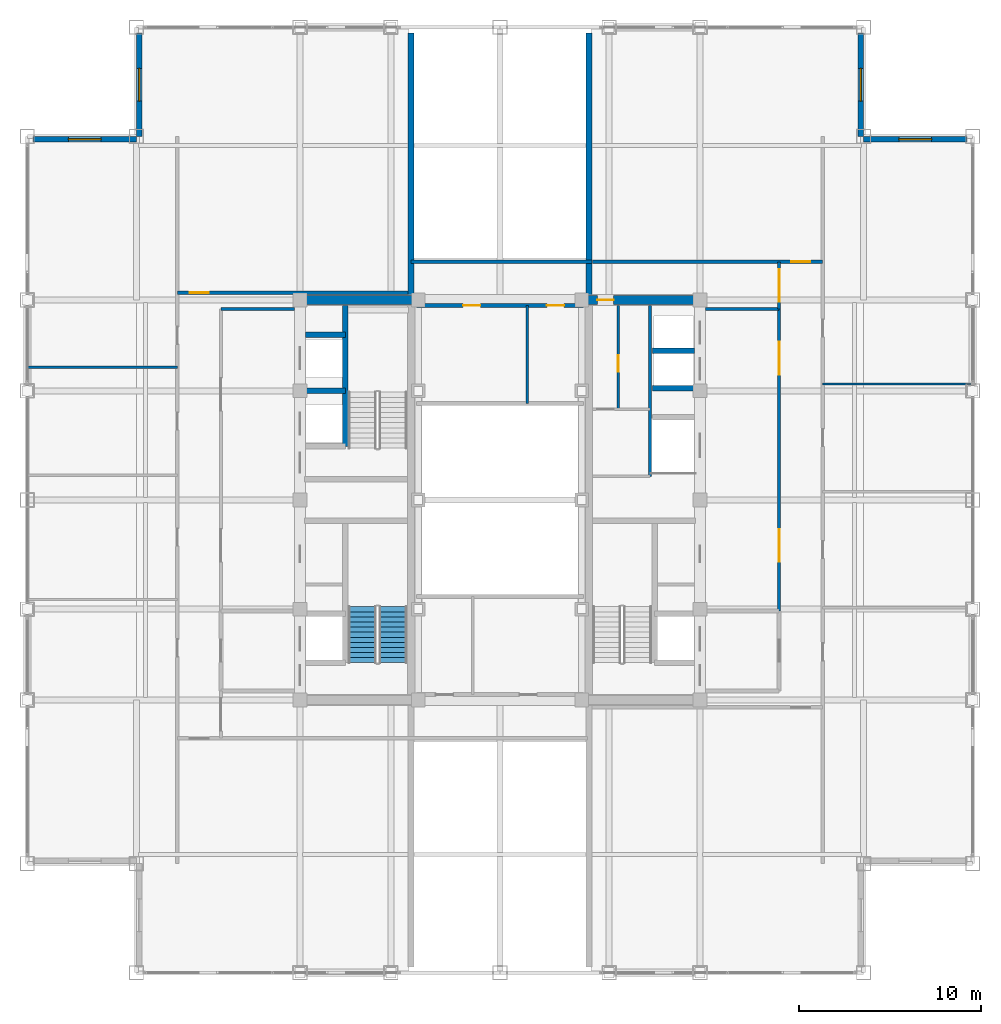
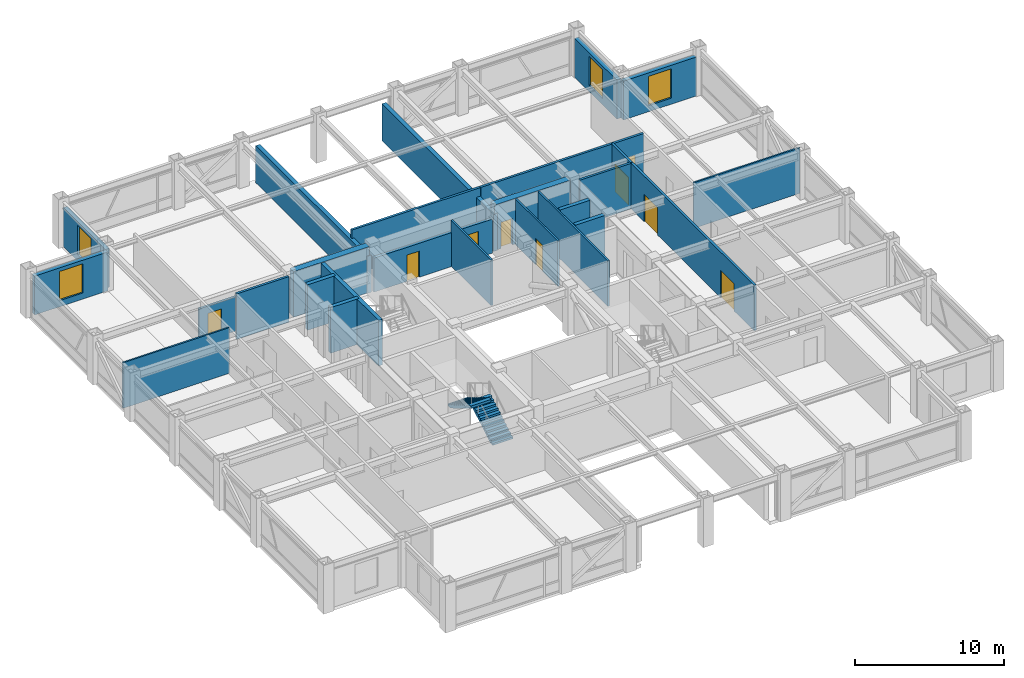
# One storey, part 27 of 29: 26 walls, 9 doors, 4 windows, 2 stair flights, 13 openings, 1 element without a shape of its own.
"""IFC4 building model written with IfcOpenShell, lengths in metres."""

from ifc_helpers import new_model, si_unit, direction, frame, frame_2d, origin, place, context, subcontext, project, spatial, polyline, rectangle, outline, extrude, source, transform, mapped, material, layer, layer_set, type_object, element, fill, aggregate, save


model = new_model("IFC4")

# Units and contexts
model_context = context("Model", 3, precision=1e-05, world=origin(), true_north=direction((0.0, 1.0)))
body_context = subcontext(model_context, "Body", "Model", "MODEL_VIEW")
ifc_project = project(units=[si_unit("LENGTHUNIT", "METRE"), si_unit("AREAUNIT", "SQUARE_METRE"), si_unit("VOLUMEUNIT", "CUBIC_METRE"), si_unit("PLANEANGLEUNIT", "RADIAN"), si_unit("MASSUNIT", "GRAM", prefix="KILO")], contexts=[model_context])

# Site, building, storey
site_placement = place(None, origin())
site = spatial("IfcSite", under=ifc_project, at=site_placement, CompositionType="ELEMENT")
building_placement = place(site_placement, origin())
building = spatial("IfcBuilding", under=site, at=building_placement, Name="Khorayat Bourse Tower", CompositionType="ELEMENT")
storey_placement = place(building_placement, frame((0.0, 0.0, 354.300048828125)))
storey = spatial("IfcBuildingStorey", under=building, at=storey_placement, Name="L84", CompositionType="ELEMENT", Elevation=354.300048828125)

# Wall
ifc_material_1 = material(Name="Concrete C52/65", Category="concrete")
ifc_layer_1 = layer(ifc_material_1, 0.5)
ifc_layer_set_1 = layer_set([ifc_layer_1], Name="Concrete C52/65")
wall_type_1 = type_object("IfcWallType", Name="WAL-CORE-500", PredefinedType="SHEAR", material=ifc_layer_set_1)
shared_shape_1 = source(origin(), body_context, "Body", "SweptSolid", [
    extrude(rectangle(XDim=5.89990234375, YDim=0.5, at=frame_2d((2.949951171875, 0.0))), origin(), (0.0, 0.0, 1.0), 3.739990234375),
])
wall_1_placement = place(storey_placement, frame((-10.75, 11.0, 0.0), z_axis=(0.0, 0.0, 1.0), x_axis=(1.0, 0.0, 0.0)))
element("IfcWall", 1, at=wall_1_placement, inside=storey, type_object=wall_type_1, Name="L84 Core Shear Wall PIER-WN", PredefinedType="SHEAR", context=body_context, shape_type="MappedRepresentation", body=[
    mapped(shared_shape_1, transform((0.0, 0.0, 0.0), scale=1.0)),
])

# Wall, opening, door
wall_2_placement = place(storey_placement, frame((4.85009765625, 11.0, 0.0), z_axis=(0.0, 0.0, 1.0), x_axis=(1.0, 0.0, 0.0)))
wall_2 = element("IfcWall", 2, at=wall_2_placement, inside=storey, type_object=wall_type_1, Name="L84 Core Shear Wall PIER-EN", PredefinedType="SHEAR", context=body_context, shape_type="MappedRepresentation", body=[
    mapped(shared_shape_1, transform((0.0, 0.0, 0.0), scale=1.0)),
])
shared_shape_2 = source(origin(), body_context, "Body", "SweptSolid", [
    extrude(rectangle(XDim=0.89990234375, YDim=2.14990234375, at=frame_2d((0.449951171875, 1.074951171875))), frame((0.0, 0.260009765625, 0.0), z_axis=(0.0, -1.0, 0.0), x_axis=(1.0, 0.0, 0.0)), (0.0, 0.0, 1.0), 0.52001953125),
])
opening_1_placement = place(wall_2_placement, frame((0.5, 0.0, 0.0)))
opening_1 = element("IfcOpeningElement", 3, at=opening_1_placement, cuts=wall_2, Name="Opening DI-06", PredefinedType="OPENING", context=body_context, shape_type="MappedRepresentation", body=[
    mapped(shared_shape_2, transform((0.0, 0.0, 0.0), scale=1.0)),
])
ifc_material_2 = material(Name="Moisture-resistant laminate washroom door")
door_type_1 = type_object("IfcDoorType", Name="DR-INT-WC-900", OperationType="NOTDEFINED", PredefinedType="DOOR", material=ifc_material_2)
shared_shape_3 = source(origin(), body_context, "Body", "SweptSolid", [
    extrude(rectangle(XDim=0.89990234375, YDim=2.14990234375, at=frame_2d((0.449951171875, 1.074951171875))), frame((0.0, 0.02490234375, 0.0), z_axis=(0.0, -1.0, 0.0), x_axis=(1.0, 0.0, 0.0)), (0.0, 0.0, 1.0), 0.050048828125),
])
door_1_placement = place(opening_1_placement, origin())
door_1 = element("IfcDoor", 4, at=door_1_placement, inside=storey, type_object=door_type_1, Name="L84 Core Washroom Lobby Door", OperationType="SINGLE_SWING_LEFT", OverallHeight=2.14990234375, OverallWidth=0.89990234375, PredefinedType="DOOR", context=body_context, shape_type="MappedRepresentation", body=[
    mapped(shared_shape_3, transform((0.0, 0.0, 0.0), scale=1.0)),
])
fill(opening_1, door_1)

# Wall, opening, window
ifc_material_3 = material(Name="Precast concrete C45/55", Category="concrete")
ifc_layer_2 = layer(ifc_material_3, 0.320068359375)
ifc_layer_set_2 = layer_set([ifc_layer_2], Name="Precast concrete C45/55")
wall_type_2 = type_object("IfcWallType", Name="WAL-EXT-STONE-320", PredefinedType="STANDARD", material=ifc_layer_set_2)
shared_shape_4 = source(origin(), body_context, "Body", "SweptSolid", [
    extrude(rectangle(XDim=5.679931640625, YDim=0.320068359375, at=frame_2d((2.83984375, 0.0))), origin(), (0.0, 0.0, 1.0), 3.19091796875),
])
wall_3_placement = place(storey_placement, frame((20.0, 19.840087890625, 0.0), z_axis=(0.0, 0.0, 1.0), x_axis=(1.0, 0.0, 0.0)))
wall_3 = element("IfcWall", 5, at=wall_3_placement, inside=storey, type_object=wall_type_2, Name="L84 Re-Entrant Notch Limestone Wall NE-H", PredefinedType="STANDARD", context=body_context, shape_type="MappedRepresentation", body=[
    mapped(shared_shape_4, transform((0.0, 0.0, 0.0), scale=1.0)),
])
shared_shape_5 = source(origin(), body_context, "Body", "SweptSolid", [
    extrude(rectangle(XDim=1.800048828125, YDim=2.39990234375, at=frame_2d((0.89990234375, 1.199951171875))), frame((0.0, 0.169921875, 0.0), z_axis=(0.0, -1.0, 0.0), x_axis=(1.0, 0.0, 0.0)), (0.0, 0.0, 1.0), 0.340087890625),
])
opening_2_placement = place(wall_3_placement, frame((1.93994140625, 0.0, 0.5)))
opening_2 = element("IfcOpeningElement", 6, at=opening_2_placement, cuts=wall_3, Name="Opening WN-04", PredefinedType="OPENING", context=body_context, shape_type="MappedRepresentation", body=[
    mapped(shared_shape_5, transform((0.0, 0.0, 0.0), scale=1.0)),
])
ifc_material_4 = material(Name="Low-E acoustic laminated double glazing", Category="glass")
window_type = type_object("IfcWindowType", Name="WIN-NOTCH-1800x2400", PartitioningType="SINGLE_PANEL", PredefinedType="WINDOW", material=ifc_material_4)
shared_shape_6 = source(origin(), body_context, "Body", "SweptSolid", [
    extrude(rectangle(XDim=1.800048828125, YDim=2.39990234375, at=frame_2d((0.89990234375, 1.199951171875))), frame((0.0, 0.030029296875, 0.0), z_axis=(0.0, -1.0, 0.0), x_axis=(1.0, 0.0, 0.0)), (0.0, 0.0, 1.0), 0.06005859375),
])
window_1_placement = place(opening_2_placement, origin())
window_1 = element("IfcWindow", 7, at=window_1_placement, inside=storey, type_object=window_type, Name="L84 Facade Window 1", OverallHeight=2.39990234375, OverallWidth=1.800048828125, PartitioningType="SINGLE_PANEL", PredefinedType="WINDOW", context=body_context, shape_type="MappedRepresentation", body=[
    mapped(shared_shape_6, transform((0.0, 0.0, 0.0), scale=1.0)),
])
fill(opening_2, window_1)

wall_4_placement = place(storey_placement, frame((19.840087890625, 20.0, 0.0), z_axis=(0.0, 0.0, 1.0), x_axis=(0.0, 1.0, 0.0)))
wall_4 = element("IfcWall", 8, at=wall_4_placement, inside=storey, type_object=wall_type_2, Name="L84 Re-Entrant Notch Limestone Wall NE-V", PredefinedType="STANDARD", context=body_context, shape_type="MappedRepresentation", body=[
    mapped(shared_shape_4, transform((0.0, 0.0, 0.0), scale=1.0)),
])
opening_3_placement = place(wall_4_placement, frame((1.93994140625, 0.0, 0.5)))
opening_3 = element("IfcOpeningElement", 9, at=opening_3_placement, cuts=wall_4, Name="Opening WN-04", PredefinedType="OPENING", context=body_context, shape_type="MappedRepresentation", body=[
    mapped(shared_shape_5, transform((0.0, 0.0, 0.0), scale=1.0)),
])
window_2_placement = place(opening_3_placement, origin())
window_2 = element("IfcWindow", 10, at=window_2_placement, inside=storey, type_object=window_type, Name="L84 Facade Window 1", OverallHeight=2.39990234375, OverallWidth=1.800048828125, PartitioningType="SINGLE_PANEL", PredefinedType="WINDOW", context=body_context, shape_type="MappedRepresentation", body=[
    mapped(shared_shape_6, transform((0.0, 0.0, 0.0), scale=1.0)),
])
fill(opening_3, window_2)

wall_5_placement = place(storey_placement, frame((-19.840087890625, 20.0, 0.0), z_axis=(0.0, 0.0, 1.0), x_axis=(0.0, 1.0, 0.0)))
wall_5 = element("IfcWall", 11, at=wall_5_placement, inside=storey, type_object=wall_type_2, Name="L84 Re-Entrant Notch Limestone Wall NW-V", PredefinedType="STANDARD", context=body_context, shape_type="MappedRepresentation", body=[
    mapped(shared_shape_4, transform((0.0, 0.0, 0.0), scale=1.0)),
])
opening_4_placement = place(wall_5_placement, frame((1.93994140625, 0.0, 0.5)))
opening_4 = element("IfcOpeningElement", 12, at=opening_4_placement, cuts=wall_5, Name="Opening WN-04", PredefinedType="OPENING", context=body_context, shape_type="MappedRepresentation", body=[
    mapped(shared_shape_5, transform((0.0, 0.0, 0.0), scale=1.0)),
])
window_3_placement = place(opening_4_placement, origin())
window_3 = element("IfcWindow", 13, at=window_3_placement, inside=storey, type_object=window_type, Name="L84 Facade Window 1", OverallHeight=2.39990234375, OverallWidth=1.800048828125, PartitioningType="SINGLE_PANEL", PredefinedType="WINDOW", context=body_context, shape_type="MappedRepresentation", body=[
    mapped(shared_shape_6, transform((0.0, 0.0, 0.0), scale=1.0)),
])
fill(opening_4, window_3)

wall_6_placement = place(storey_placement, frame((-20.0, 19.840087890625, 0.0), z_axis=(0.0, 0.0, 1.0), x_axis=(-1.0, 0.0, 0.0)))
wall_6 = element("IfcWall", 14, at=wall_6_placement, inside=storey, type_object=wall_type_2, Name="L84 Re-Entrant Notch Limestone Wall NW-H", PredefinedType="STANDARD", context=body_context, shape_type="MappedRepresentation", body=[
    mapped(shared_shape_4, transform((0.0, 0.0, 0.0), scale=1.0)),
])
opening_5_placement = place(wall_6_placement, frame((1.93994140625, 0.0, 0.5)))
opening_5 = element("IfcOpeningElement", 15, at=opening_5_placement, cuts=wall_6, Name="Opening WN-04", PredefinedType="OPENING", context=body_context, shape_type="MappedRepresentation", body=[
    mapped(shared_shape_5, transform((0.0, 0.0, 0.0), scale=1.0)),
])
window_4_placement = place(opening_5_placement, origin())
window_4 = element("IfcWindow", 16, at=window_4_placement, inside=storey, type_object=window_type, Name="L84 Facade Window 1", OverallHeight=2.39990234375, OverallWidth=1.800048828125, PartitioningType="SINGLE_PANEL", PredefinedType="WINDOW", context=body_context, shape_type="MappedRepresentation", body=[
    mapped(shared_shape_6, transform((0.0, 0.0, 0.0), scale=1.0)),
])
fill(opening_5, window_4)

# Walls
shared_shape_7 = source(origin(), body_context, "Body", "SweptSolid", [
    extrude(rectangle(XDim=14.97998046875, YDim=0.320068359375, at=frame_2d((7.489990234375, 0.0))), origin(), (0.0, 0.0, 1.0), 3.044921875),
])
for number, where, z_axis, x_axis, name in (
    (17, (-4.89990234375, 10.699951171875, 0.0), (0.0, 0.0, 1.0), (0.0, 1.0, 0.0), "L84 Wind Portal West Cheek Wall N"),
    (18, (4.89990234375, 10.699951171875, 0.0), (0.0, 0.0, 1.0), (0.0, 1.0, 0.0), "L84 Wind Portal East Cheek Wall N"),
):
    element("IfcWall", number, at=place(storey_placement, frame(where, z_axis=z_axis, x_axis=x_axis)), inside=storey, type_object=wall_type_2, Name=name, PredefinedType="STANDARD", context=body_context, shape_type="MappedRepresentation", body=[
        mapped(shared_shape_7, transform((0.0, 0.0, 0.0), scale=1.0)),
    ])
ifc_material_5 = material(Name="Concrete C50/60", Category="concrete")
ifc_layer_3 = layer(ifc_material_5, 0.300048828125)
ifc_layer_set_3 = layer_set([ifc_layer_3], Name="Concrete C50/60")
wall_type_3 = type_object("IfcWallType", Name="WAL-SHAFT-300", PredefinedType="SHEAR", material=ifc_layer_set_3)
shared_shape_8 = source(origin(), body_context, "Body", "SweptSolid", [
    extrude(rectangle(XDim=2.199951171875, YDim=0.300048828125, at=frame_2d((1.10009765625, 0.0))), origin(), (0.0, 0.0, 1.0), 3.739990234375),
])
for number, where, z_axis, x_axis, name in (
    (19, (-10.699951171875, 6.0, 0.0), (0.0, 0.0, 1.0), (1.0, 0.0, 0.0), "L84 Partition WAL-L84-WPIER-H12"),
    (20, (-10.699951171875, 9.10009765625, 0.0), (0.0, 0.0, 1.0), (1.0, 0.0, 0.0), "L84 Partition WAL-L84-WPIER-H2N"),
):
    element("IfcWall", number, at=place(storey_placement, frame(where, z_axis=z_axis, x_axis=x_axis)), inside=storey, type_object=wall_type_3, Name=name, PredefinedType="SHEAR", context=body_context, shape_type="MappedRepresentation", body=[
        mapped(shared_shape_8, transform((0.0, 0.0, 0.0), scale=1.0)),
    ])
shared_shape_9 = source(origin(), body_context, "Body", "SweptSolid", [
    extrude(rectangle(XDim=7.75, YDim=0.300048828125, at=frame_2d((3.875, 0.0))), origin(), (0.0, 0.0, 1.0), 3.739990234375),
])
wall_7_placement = place(storey_placement, frame((-8.5, 2.949951171875, 0.0), z_axis=(0.0, 0.0, 1.0), x_axis=(0.0, 1.0, 0.0)))
element("IfcWall", 21, at=wall_7_placement, inside=storey, type_object=wall_type_3, Name="L84 Partition WAL-L84-WPIER-ST2S", PredefinedType="SHEAR", context=body_context, shape_type="MappedRepresentation", body=[
    mapped(shared_shape_9, transform((0.0, 0.0, 0.0), scale=1.0)),
])
shared_shape_10 = source(origin(), body_context, "Body", "SweptSolid", [
    extrude(rectangle(XDim=2.300048828125, YDim=0.300048828125, at=frame_2d((1.14990234375, 0.0))), origin(), (0.0, 0.0, 1.0), 3.739990234375),
])
for number, where, z_axis, x_axis, name in (
    (22, (8.39990234375, 6.14990234375, 0.0), (0.0, 0.0, 1.0), (1.0, 0.0, 0.0), "L84 Partition WAL-L84-EPIER-H3S"),
    (23, (8.39990234375, 8.199951171875, 0.0), (0.0, 0.0, 1.0), (1.0, 0.0, 0.0), "L84 Partition WAL-L84-EPIER-H34"),
):
    element("IfcWall", number, at=place(storey_placement, frame(where, z_axis=z_axis, x_axis=x_axis)), inside=storey, type_object=wall_type_3, Name=name, PredefinedType="SHEAR", context=body_context, shape_type="MappedRepresentation", body=[
        mapped(shared_shape_10, transform((0.0, 0.0, 0.0), scale=1.0)),
    ])
ifc_material_6 = material(Name="Moisture-resistant masonry partition", Category="masonry")
ifc_layer_4 = layer(ifc_material_6, 0.139892578125)
ifc_layer_set_4 = layer_set([ifc_layer_4], Name="Moisture-resistant masonry partition")
wall_type_4 = type_object("IfcWallType", Name="WAL-PART-WET-140", PredefinedType="PARTITIONING", material=ifc_layer_set_4)
shared_shape_11 = source(origin(), body_context, "Body", "SweptSolid", [
    extrude(rectangle(XDim=9.39990234375, YDim=0.139892578125, at=frame_2d((4.699951171875, 0.0))), origin(), (0.0, 0.0, 1.0), 3.739990234375),
])
wall_8_placement = place(storey_placement, frame((8.25, 1.300048828125, 0.0), z_axis=(0.0, 0.0, 1.0), x_axis=(0.0, 1.0, 0.0)))
element("IfcWall", 24, at=wall_8_placement, inside=storey, type_object=wall_type_4, Name="L84 Partition WAL-L84-ECORE-E", PredefinedType="PARTITIONING", context=body_context, shape_type="MappedRepresentation", body=[
    mapped(shared_shape_11, transform((0.0, 0.0, 0.0), scale=1.0)),
])

# Wall, opening, door
shared_shape_12 = source(origin(), body_context, "Body", "SweptSolid", [
    extrude(rectangle(XDim=5.699951171875, YDim=0.139892578125, at=frame_2d((2.85009765625, 0.0))), origin(), (0.0, 0.0, 1.0), 3.739990234375),
])
wall_9_placement = place(storey_placement, frame((6.5, 5.0, 0.0), z_axis=(0.0, 0.0, 1.0), x_axis=(0.0, 1.0, 0.0)))
wall_9 = element("IfcWall", 25, at=wall_9_placement, inside=storey, type_object=wall_type_4, Name="L84 Partition WAL-L84-ECW-MID", PredefinedType="PARTITIONING", context=body_context, shape_type="MappedRepresentation", body=[
    mapped(shared_shape_12, transform((0.0, 0.0, 0.0), scale=1.0)),
])
shared_shape_13 = source(origin(), body_context, "Body", "SweptSolid", [
    extrude(rectangle(XDim=0.89990234375, YDim=2.14990234375, at=frame_2d((0.449951171875, 1.074951171875))), frame((0.0, 0.079833984375, 0.0), z_axis=(0.0, -1.0, 0.0), x_axis=(1.0, 0.0, 0.0)), (0.0, 0.0, 1.0), 0.159912109375),
])
opening_6_placement = place(wall_9_placement, frame((2.050048828125, 0.0, 0.0)))
opening_6 = element("IfcOpeningElement", 26, at=opening_6_placement, cuts=wall_9, Name="Opening DI-06", PredefinedType="OPENING", context=body_context, shape_type="MappedRepresentation", body=[
    mapped(shared_shape_13, transform((0.0, 0.0, 0.0), scale=1.0)),
])
door_2_placement = place(opening_6_placement, origin())
door_2 = element("IfcDoor", 27, at=door_2_placement, inside=storey, type_object=door_type_1, Name="L84 Accessible WC Door", OperationType="SINGLE_SWING_RIGHT", OverallHeight=2.14990234375, OverallWidth=0.89990234375, PredefinedType="DOOR", context=body_context, shape_type="MappedRepresentation", body=[
    mapped(shared_shape_3, transform((0.0, 0.0, 0.0), scale=1.0)),
])
fill(opening_6, door_2)

# Walls
ifc_material_7 = material(Name="Gypsum plasterboard acoustic stud wall")
ifc_layer_5 = layer(ifc_material_7, 0.179931640625)
ifc_layer_set_5 = layer_set([ifc_layer_5], Name="Gypsum plasterboard acoustic stud wall")
wall_type_5 = type_object("IfcWallType", Name="WAL-PART-CORR-180", PredefinedType="PARTITIONING", material=ifc_layer_set_5)
shared_shape_14 = source(origin(), body_context, "Body", "SweptSolid", [
    extrude(rectangle(XDim=4.050048828125, YDim=0.179931640625, at=frame_2d((2.02490234375, 0.0))), origin(), (0.0, 0.0, 1.0), 3.739990234375),
])
for number, where, z_axis, x_axis, name in (
    (28, (-15.35009765625, 10.5, 0.0), (0.0, 0.0, 1.0), (1.0, 0.0, 0.0), "L84 Partition WAL-L84-WLOB-N"),
    (29, (11.300048828125, 10.5, 0.0), (0.0, 0.0, 1.0), (1.0, 0.0, 0.0), "L84 Partition WAL-L84-ELOB-N"),
):
    element("IfcWall", number, at=place(storey_placement, frame(where, z_axis=z_axis, x_axis=x_axis)), inside=storey, type_object=wall_type_5, Name=name, PredefinedType="PARTITIONING", context=body_context, shape_type="MappedRepresentation", body=[
        mapped(shared_shape_14, transform((0.0, 0.0, 0.0), scale=1.0)),
    ])

# Wall, openings, doors
shared_shape_15 = source(origin(), body_context, "Body", "SweptSolid", [
    extrude(rectangle(XDim=16.60009765625, YDim=0.179931640625, at=frame_2d((8.300048828125, 0.0))), origin(), (0.0, 0.0, 1.0), 3.739990234375),
])
wall_10_placement = place(storey_placement, frame((15.35009765625, -6.10009765625, 0.0), z_axis=(0.0, 0.0, 1.0), x_axis=(0.0, 1.0, 0.0)))
wall_10 = element("IfcWall", 30, at=wall_10_placement, inside=storey, type_object=wall_type_5, Name="L84 Partition WAL-L84-ELOB-E", PredefinedType="PARTITIONING", context=body_context, shape_type="MappedRepresentation", body=[
    mapped(shared_shape_15, transform((0.0, 0.0, 0.0), scale=1.0)),
])
shared_shape_16 = source(origin(), body_context, "Body", "SweptSolid", [
    extrude(rectangle(XDim=1.800048828125, YDim=2.25, at=frame_2d((0.89990234375, 1.125))), frame((0.0, 0.099853515625, 0.0), z_axis=(0.0, -1.0, 0.0), x_axis=(1.0, 0.0, 0.0)), (0.0, 0.0, 1.0), 0.199951171875),
])
opening_7_placement = place(wall_10_placement, frame((2.699951171875, 0.0, 0.0)))
opening_7 = element("IfcOpeningElement", 31, at=opening_7_placement, cuts=wall_10, Name="Opening DI-03", PredefinedType="OPENING", context=body_context, shape_type="MappedRepresentation", body=[
    mapped(shared_shape_16, transform((0.0, 0.0, 0.0), scale=1.0)),
])
opening_8_placement = place(wall_10_placement, frame((13.0, 0.0, 0.0)))
opening_8 = element("IfcOpeningElement", 32, at=opening_8_placement, cuts=wall_10, Name="Opening DI-03", PredefinedType="OPENING", context=body_context, shape_type="MappedRepresentation", body=[
    mapped(shared_shape_16, transform((0.0, 0.0, 0.0), scale=1.0)),
])
ifc_material_8 = material(Name="Fire-rated hardwood vision-panel double leaf", Category="wood")
door_type_2 = type_object("IfcDoorType", Name="DR-INT-CORR-1800", OperationType="NOTDEFINED", PredefinedType="DOOR", material=ifc_material_8)
shared_shape_17 = source(origin(), body_context, "Body", "SweptSolid", [
    extrude(rectangle(XDim=1.800048828125, YDim=2.25, at=frame_2d((0.89990234375, 1.125))), frame((0.0, 0.02490234375, 0.0), z_axis=(0.0, -1.0, 0.0), x_axis=(1.0, 0.0, 0.0)), (0.0, 0.0, 1.0), 0.050048828125),
])
door_3_placement = place(opening_7_placement, origin())
door_3 = element("IfcDoor", 33, at=door_3_placement, inside=storey, type_object=door_type_2, Name="L84 East Core Lobby South Door", OperationType="SINGLE_SWING_RIGHT", OverallHeight=2.25, OverallWidth=1.800048828125, PredefinedType="DOOR", context=body_context, shape_type="MappedRepresentation", body=[
    mapped(shared_shape_17, transform((0.0, 0.0, 0.0), scale=1.0)),
])
fill(opening_7, door_3)
door_4_placement = place(opening_8_placement, origin())
door_4 = element("IfcDoor", 34, at=door_4_placement, inside=storey, type_object=door_type_2, Name="L84 East Core Lobby North Door", OperationType="SINGLE_SWING_LEFT", OverallHeight=2.25, OverallWidth=1.800048828125, PredefinedType="DOOR", context=body_context, shape_type="MappedRepresentation", body=[
    mapped(shared_shape_17, transform((0.0, 0.0, 0.0), scale=1.0)),
])
fill(opening_8, door_4)

# Wall, opening, door
shared_shape_18 = source(origin(), body_context, "Body", "SweptSolid", [
    extrude(rectangle(XDim=2.60009765625, YDim=0.179931640625, at=frame_2d((1.300048828125, 0.0))), origin(), (0.0, 0.0, 1.0), 3.739990234375),
])
wall_11_placement = place(storey_placement, frame((15.35009765625, 10.5, 0.0), z_axis=(0.0, 0.0, 1.0), x_axis=(0.0, 1.0, 0.0)))
wall_11 = element("IfcWall", 35, at=wall_11_placement, inside=storey, type_object=wall_type_5, Name="L84 Partition WAL-L84-ECSTUB-E", PredefinedType="PARTITIONING", context=body_context, shape_type="MappedRepresentation", body=[
    mapped(shared_shape_18, transform((0.0, 0.0, 0.0), scale=1.0)),
])
opening_9_placement = place(wall_11_placement, frame((0.39990234375, 0.0, 0.0)))
opening_9 = element("IfcOpeningElement", 36, at=opening_9_placement, cuts=wall_11, Name="Opening DI-03", PredefinedType="OPENING", context=body_context, shape_type="MappedRepresentation", body=[
    mapped(shared_shape_16, transform((0.0, 0.0, 0.0), scale=1.0)),
])
door_5_placement = place(opening_9_placement, origin())
door_5 = element("IfcDoor", 37, at=door_5_placement, inside=storey, type_object=door_type_2, Name="L84 East Portal Bridge Corridor Door", OperationType="DOUBLE_DOOR_SINGLE_SWING", OverallHeight=2.25, OverallWidth=1.800048828125, PredefinedType="DOOR", context=body_context, shape_type="MappedRepresentation", body=[
    mapped(shared_shape_17, transform((0.0, 0.0, 0.0), scale=1.0)),
])
fill(opening_9, door_5)

# Walls
ifc_material_9 = material(Name="Gypsum plasterboard twin-frame partition")
ifc_layer_6 = layer(ifc_material_9, 0.14990234375)
ifc_layer_set_6 = layer_set([ifc_layer_6], Name="Gypsum plasterboard twin-frame partition")
wall_type_6 = type_object("IfcWallType", Name="WAL-PART-SUITE-150", PredefinedType="PARTITIONING", material=ifc_layer_set_6)
shared_shape_19 = source(origin(), body_context, "Body", "SweptSolid", [
    extrude(rectangle(XDim=5.39990234375, YDim=0.14990234375, at=frame_2d((2.699951171875, 0.0))), origin(), (0.0, 0.0, 1.0), 3.739990234375),
])
wall_12_placement = place(storey_placement, frame((1.5, 5.300048828125, 0.0), z_axis=(0.0, 0.0, 1.0), x_axis=(0.0, 1.0, 0.0)))
element("IfcWall", 38, at=wall_12_placement, inside=storey, type_object=wall_type_6, Name="L84 Partition WAL-L84-WPB2-D", PredefinedType="PARTITIONING", context=body_context, shape_type="MappedRepresentation", body=[
    mapped(shared_shape_19, transform((0.0, 0.0, 0.0), scale=1.0)),
])
shared_shape_20 = source(origin(), body_context, "Body", "SweptSolid", [
    extrude(rectangle(XDim=9.949951171875, YDim=0.179931640625, at=frame_2d((4.97509765625, 0.0))), origin(), (0.0, 0.0, 1.0), 3.739990234375),
])
wall_13_placement = place(storey_placement, frame((-4.89990234375, 13.10009765625, 0.0), z_axis=(0.0, 0.0, 1.0), x_axis=(1.0, 0.0, 0.0)))
element("IfcWall", 39, at=wall_13_placement, inside=storey, type_object=wall_type_5, Name="L84 Partition WAL-L84-ECSTUB-N", PredefinedType="PARTITIONING", context=body_context, shape_type="MappedRepresentation", body=[
    mapped(shared_shape_20, transform((0.0, 0.0, 0.0), scale=1.0)),
])

# Wall, opening, door
shared_shape_21 = source(origin(), body_context, "Body", "SweptSolid", [
    extrude(rectangle(XDim=12.699951171875, YDim=0.179931640625, at=frame_2d((6.35009765625, 0.0))), origin(), (0.0, 0.0, 1.0), 2.7900390625),
])
wall_14_placement = place(storey_placement, frame((-17.75, 11.39990234375, 0.0), z_axis=(0.0, 0.0, 1.0), x_axis=(1.0, 0.0, 0.0)))
wall_14 = element("IfcWall", 40, at=wall_14_placement, inside=storey, type_object=wall_type_5, Name="L84 Partition WAL-L84-WPN-S", PredefinedType="PARTITIONING", context=body_context, shape_type="MappedRepresentation", body=[
    mapped(shared_shape_21, transform((0.0, 0.0, 0.0), scale=1.0)),
])
shared_shape_22 = source(origin(), body_context, "Body", "SweptSolid", [
    extrude(rectangle(XDim=1.050048828125, YDim=2.199951171875, at=frame_2d((0.52490234375, 1.10009765625))), frame((0.0, 0.099853515625, 0.0), z_axis=(0.0, -1.0, 0.0), x_axis=(1.0, 0.0, 0.0)), (0.0, 0.0, 1.0), 0.199951171875),
])
opening_10_placement = place(wall_14_placement, frame((0.675048828125, 0.0, 0.0)))
opening_10 = element("IfcOpeningElement", 41, at=opening_10_placement, cuts=wall_14, Name="Opening DI-04", PredefinedType="OPENING", context=body_context, shape_type="MappedRepresentation", body=[
    mapped(shared_shape_22, transform((0.0, 0.0, 0.0), scale=1.0)),
])
ifc_material_10 = material(Name="Fire-rated oak veneer suite entrance door")
door_type_3 = type_object("IfcDoorType", Name="DR-INT-SUITE-1050", OperationType="NOTDEFINED", PredefinedType="DOOR", material=ifc_material_10)
shared_shape_23 = source(origin(), body_context, "Body", "SweptSolid", [
    extrude(rectangle(XDim=1.050048828125, YDim=2.199951171875, at=frame_2d((0.52490234375, 1.10009765625))), frame((0.0, 0.02490234375, 0.0), z_axis=(0.0, -1.0, 0.0), x_axis=(1.0, 0.0, 0.0)), (0.0, 0.0, 1.0), 0.050048828125),
])
door_6_placement = place(opening_10_placement, origin())
door_6 = element("IfcDoor", 42, at=door_6_placement, inside=storey, type_object=door_type_3, Name="L84 West Portal Trading Door", OperationType="SINGLE_SWING_RIGHT", OverallHeight=2.199951171875, OverallWidth=1.050048828125, PredefinedType="DOOR", context=body_context, shape_type="MappedRepresentation", body=[
    mapped(shared_shape_23, transform((0.0, 0.0, 0.0), scale=1.0)),
])
fill(opening_10, door_6)

shared_shape_24 = source(origin(), body_context, "Body", "SweptSolid", [
    extrude(rectangle(XDim=12.64990234375, YDim=0.179931640625, at=frame_2d((6.324951171875, 0.0))), origin(), (0.0, 0.0, 1.0), 3.739990234375),
])
wall_15_placement = place(storey_placement, frame((5.10009765625, 13.10009765625, 0.0), z_axis=(0.0, 0.0, 1.0), x_axis=(1.0, 0.0, 0.0)))
wall_15 = element("IfcWall", 43, at=wall_15_placement, inside=storey, type_object=wall_type_5, Name="L84 Partition WAL-L84-EPN-S", PredefinedType="PARTITIONING", context=body_context, shape_type="MappedRepresentation", body=[
    mapped(shared_shape_24, transform((0.0, 0.0, 0.0), scale=1.0)),
])
opening_11_placement = place(wall_15_placement, frame((10.925048828125, 0.0, 0.0)))
opening_11 = element("IfcOpeningElement", 44, at=opening_11_placement, cuts=wall_15, Name="Opening DI-04", PredefinedType="OPENING", context=body_context, shape_type="MappedRepresentation", body=[
    mapped(shared_shape_22, transform((0.0, 0.0, 0.0), scale=1.0)),
])
door_7_placement = place(opening_11_placement, origin())
door_7 = element("IfcDoor", 45, at=door_7_placement, inside=storey, type_object=door_type_3, Name="L84 East Portal Lab Door", OperationType="SINGLE_SWING_RIGHT", OverallHeight=2.199951171875, OverallWidth=1.050048828125, PredefinedType="DOOR", context=body_context, shape_type="MappedRepresentation", body=[
    mapped(shared_shape_23, transform((0.0, 0.0, 0.0), scale=1.0)),
])
fill(opening_11, door_7)

# Walls
ifc_material_11 = material(Name="Gypsum plasterboard partition")
ifc_layer_7 = layer(ifc_material_11, 0.125)
ifc_layer_set_7 = layer_set([ifc_layer_7], Name="Gypsum plasterboard partition")
wall_type_7 = type_object("IfcWallType", Name="WAL-PART-ROOM-125", PredefinedType="PARTITIONING", material=ifc_layer_set_7)
shared_shape_25 = source(origin(), body_context, "Body", "SweptSolid", [
    extrude(rectangle(XDim=8.25, YDim=0.125, at=frame_2d((4.125, 0.0))), origin(), (0.0, 0.0, 1.0), 3.739990234375),
])
for number, where, z_axis, x_axis, name in (
    (46, (-26.0, 7.2958984375, 0.0), (0.0, 0.0, 1.0), (1.0, 0.0, 0.0), "L84 Partition WAL-L84-WPWDV-3"),
    (47, (17.75, 6.384033203125, 0.0), (0.0, 0.0, 1.0), (1.0, 0.0, 0.0), "L84 Partition WAL-L84-WPEDV-3"),
):
    element("IfcWall", number, at=place(storey_placement, frame(where, z_axis=z_axis, x_axis=x_axis)), inside=storey, type_object=wall_type_7, Name=name, PredefinedType="PARTITIONING", context=body_context, shape_type="MappedRepresentation", body=[
        mapped(shared_shape_25, transform((0.0, 0.0, 0.0), scale=1.0)),
    ])

# Wall, openings, doors
ifc_material_12 = material(Name="Aerated concrete blockwork", Category="masonry")
ifc_layer_8 = layer(ifc_material_12, 0.219970703125)
ifc_layer_set_8 = layer_set([ifc_layer_8], Name="Aerated concrete blockwork")
wall_type_8 = type_object("IfcWallType", Name="WAL-PART-FF-220", PredefinedType="PARTITIONING", material=ifc_layer_set_8)
shared_shape_26 = source(origin(), body_context, "Body", "SweptSolid", [
    extrude(rectangle(XDim=9.2001953125, YDim=0.219970703125, at=frame_2d((4.60009765625, 0.0))), origin(), (0.0, 0.0, 1.0), 2.7900390625),
])
wall_16_placement = place(storey_placement, frame((-4.60009765625, 10.699951171875, 0.0), z_axis=(0.0, 0.0, 1.0), x_axis=(1.0, 0.0, 0.0)))
wall_16 = element("IfcWall", 48, at=wall_16_placement, inside=storey, type_object=wall_type_8, Name="L84 Partition WAL-L84-WPB2-N", PredefinedType="PARTITIONING", context=body_context, shape_type="MappedRepresentation", body=[
    mapped(shared_shape_26, transform((0.0, 0.0, 0.0), scale=1.0)),
])
shared_shape_27 = source(origin(), body_context, "Body", "SweptSolid", [
    extrude(rectangle(XDim=0.949951171875, YDim=2.14990234375, at=frame_2d((0.47509765625, 1.074951171875))), frame((0.0, 0.119873046875, 0.0), z_axis=(0.0, -1.0, 0.0), x_axis=(1.0, 0.0, 0.0)), (0.0, 0.0, 1.0), 0.239990234375),
])
opening_12_placement = place(wall_16_placement, frame((2.574951171875, 0.0, 0.0)))
opening_12 = element("IfcOpeningElement", 49, at=opening_12_placement, cuts=wall_16, Name="Opening DI-05", PredefinedType="OPENING", context=body_context, shape_type="MappedRepresentation", body=[
    mapped(shared_shape_27, transform((0.0, 0.0, 0.0), scale=1.0)),
])
opening_13_placement = place(wall_16_placement, frame((7.175048828125, 0.0, 0.0)))
opening_13 = element("IfcOpeningElement", 50, at=opening_13_placement, cuts=wall_16, Name="Opening DI-05", PredefinedType="OPENING", context=body_context, shape_type="MappedRepresentation", body=[
    mapped(shared_shape_27, transform((0.0, 0.0, 0.0), scale=1.0)),
])
ifc_material_13 = material(Name="Acoustic oak veneer office door")
door_type_4 = type_object("IfcDoorType", Name="DR-INT-OFFICE-950", OperationType="NOTDEFINED", PredefinedType="DOOR", material=ifc_material_13)
shared_shape_28 = source(origin(), body_context, "Body", "SweptSolid", [
    extrude(rectangle(XDim=0.949951171875, YDim=2.14990234375, at=frame_2d((0.47509765625, 1.074951171875))), frame((0.0, 0.02490234375, 0.0), z_axis=(0.0, -1.0, 0.0), x_axis=(1.0, 0.0, 0.0)), (0.0, 0.0, 1.0), 0.050048828125),
])
door_8_placement = place(opening_12_placement, origin())
door_8 = element("IfcDoor", 51, at=door_8_placement, inside=storey, type_object=door_type_4, Name="L84 North Bridge Study Door", OperationType="SINGLE_SWING_LEFT", OverallHeight=2.14990234375, OverallWidth=0.949951171875, PredefinedType="DOOR", context=body_context, shape_type="MappedRepresentation", body=[
    mapped(shared_shape_28, transform((0.0, 0.0, 0.0), scale=1.0)),
])
fill(opening_12, door_8)
door_9_placement = place(opening_13_placement, origin())
door_9 = element("IfcDoor", 52, at=door_9_placement, inside=storey, type_object=door_type_4, Name="L84 North Bridge Anemometer Door", OperationType="SINGLE_SWING_RIGHT", OverallHeight=2.14990234375, OverallWidth=0.949951171875, PredefinedType="DOOR", context=body_context, shape_type="MappedRepresentation", body=[
    mapped(shared_shape_28, transform((0.0, 0.0, 0.0), scale=1.0)),
])
fill(opening_13, door_9)

# Stair, stair flights
ifc_material_14 = material(Name="Concrete C40/50", Category="concrete")
stair_type = type_object("IfcStairType", Name="STR-CORE-1550", PredefinedType="HALF_TURN_STAIR", material=ifc_material_14)
stair_placement = place(storey_placement, origin())
stair = element("IfcStair", 53, at=stair_placement, inside=storey, type_object=stair_type, Name="L84 Exit Stair ST-1", PredefinedType="HALF_TURN_STAIR")
stair_flight_type = type_object("IfcStairFlightType", Name="FLT-CORE-1550", PredefinedType="STRAIGHT", material=ifc_material_14)
shared_shape_29 = source(origin(), body_context, "Body", "SweptSolid", [
    extrude(outline(polyline([(0.0, 0.0), (0.0, 0.166748046875), (0.280029296875, 0.166748046875), (0.280029296875, 0.333251953125), (0.56005859375, 0.333251953125), (0.56005859375, 0.5), (0.840087890625, 0.5), (0.840087890625, 0.666748046875), (1.1201171875, 0.666748046875), (1.1201171875, 0.833251953125), (1.39990234375, 0.833251953125), (1.39990234375, 1.0), (1.679931640625, 1.0), (1.679931640625, 1.166748046875), (1.9599609375, 1.166748046875), (1.9599609375, 1.333251953125), (2.239990234375, 1.333251953125), (2.239990234375, 1.5), (2.52001953125, 1.5), (2.52001953125, 1.666748046875), (2.800048828125, 1.666748046875), (2.800048828125, 1.833251953125), (3.080078125, 1.833251953125), (3.080078125, 2.0), (3.080078125, 1.6240234375), (0.351806640625, 0.0), (0.0, 0.0)])), frame((0.0, 0.77490234375, 0.0), z_axis=(0.0, -1.0, 0.0), x_axis=(1.0, 0.0, 0.0)), (0.0, 0.0, 1.0), 1.550048828125),
])
stair_flight_1_placement = place(storey_placement, frame((-5.875, -8.949951171875, 0.0), z_axis=(0.0, 0.0, 1.0), x_axis=(0.0, 1.0, 0.0)))
stair_flight_1 = element("IfcStairFlight", 54, at=stair_flight_1_placement, type_object=stair_flight_type, Name="ST-1 flight 1", NumberOfRisers=12, NumberOfTreads=11, PredefinedType="STRAIGHT", RiserHeight=0.166666667, TreadLength=0.28, context=body_context, shape_type="MappedRepresentation", body=[
    mapped(shared_shape_29, transform((0.0, 0.0, 0.0), scale=1.0)),
])
stair_flight_2_placement = place(storey_placement, frame((-7.574951171875, -5.8701171875, 2.0), z_axis=(0.0, 0.0, 1.0), x_axis=(0.0, -1.0, 0.0)))
stair_flight_2 = element("IfcStairFlight", 55, at=stair_flight_2_placement, type_object=stair_flight_type, Name="ST-1 flight 2", NumberOfRisers=12, NumberOfTreads=11, PredefinedType="STRAIGHT", RiserHeight=0.166666667, TreadLength=0.28, context=body_context, shape_type="MappedRepresentation", body=[
    mapped(shared_shape_29, transform((0.0, 0.0, 0.0), scale=1.0)),
])
aggregate(stair, [stair_flight_1, stair_flight_2])

save(model, "model.ifc")
